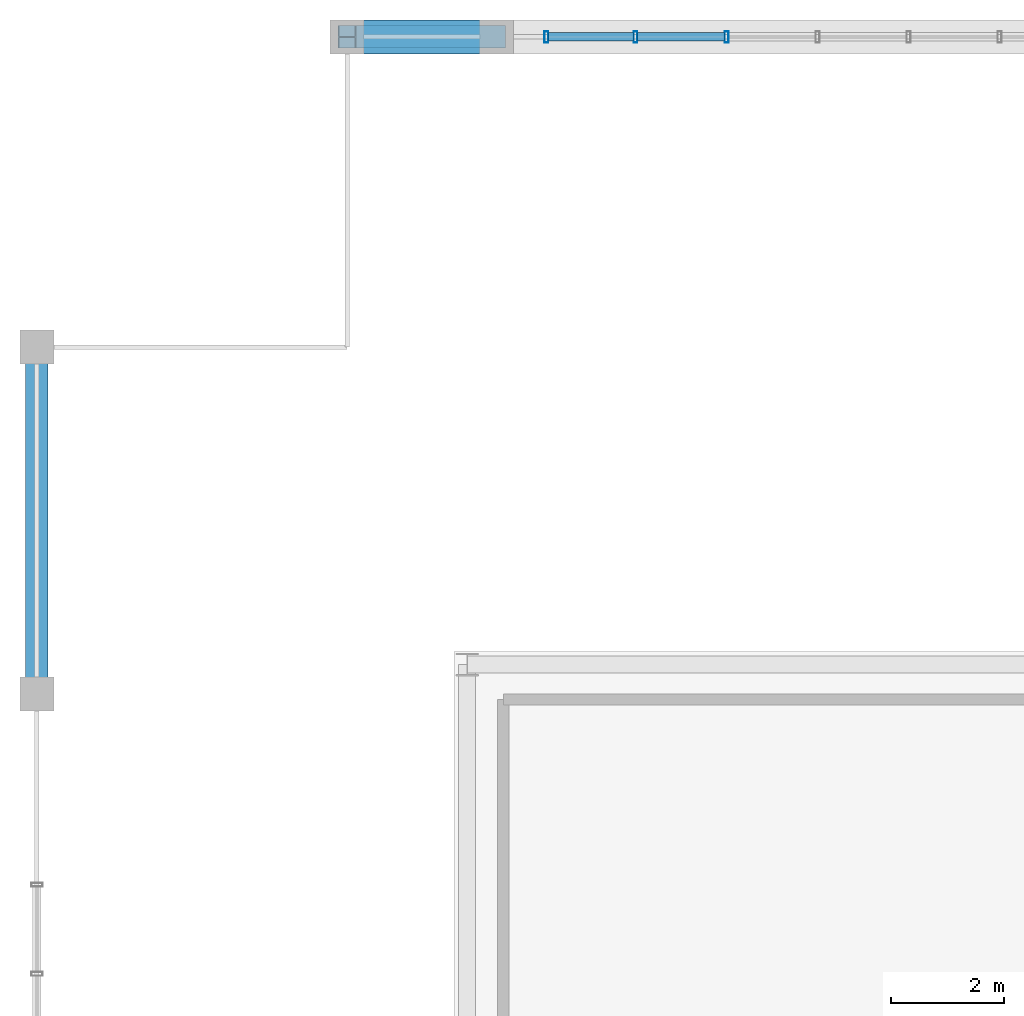
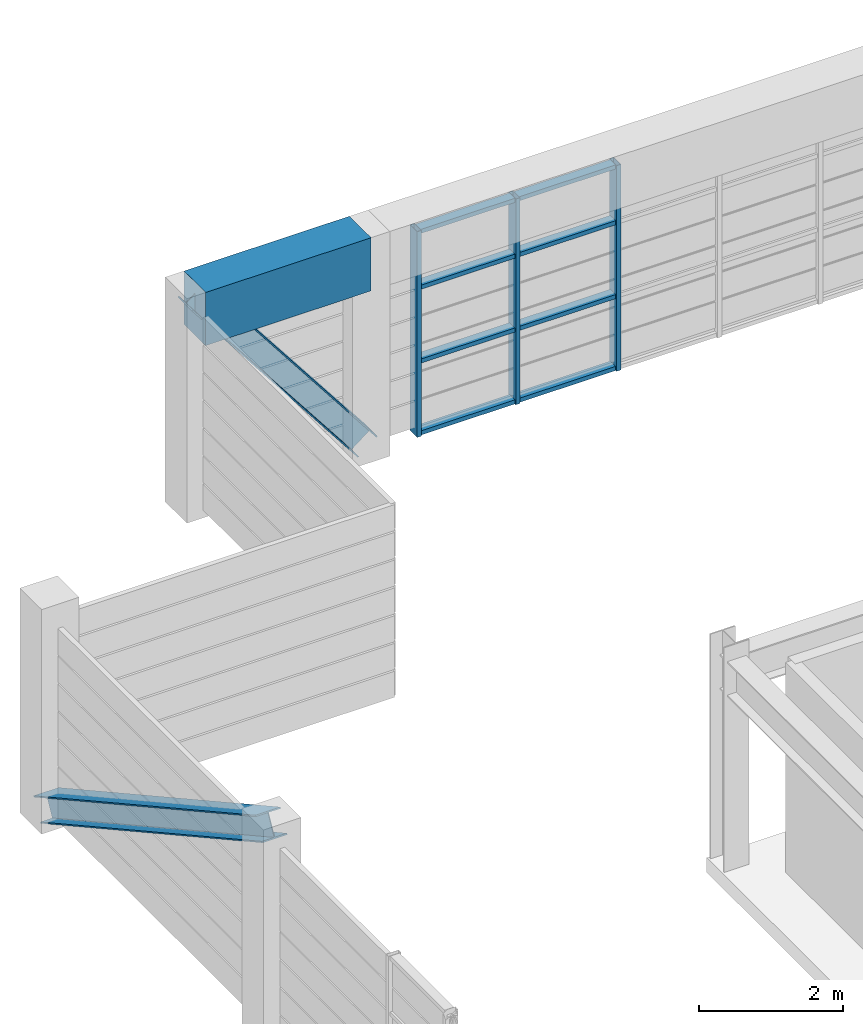
# One storey, part 12 of 21: 13 members, 1 beam, 1 element without a shape of its own.
"""IFC4 building model written with IfcOpenShell, lengths in metres."""

from ifc_helpers import new_model, si_unit, direction, frame, origin, origin_2d, place, context, subcontext, project, spatial, rectangle, hollow_rectangle, i_section, extrude, source, transform, mapped, material, layer, layer_set, material_profile, profile_set, type_object, element, aggregate, save


model = new_model("IFC4")

# Units and contexts
model_context = context("Model", 3, precision=1e-05, world=origin(), true_north=direction((0.0, 1.0)))
body_context = subcontext(model_context, "Body", "Model", "MODEL_VIEW")
ifc_project = project(units=[si_unit("LENGTHUNIT", "METRE"), si_unit("AREAUNIT", "SQUARE_METRE"), si_unit("VOLUMEUNIT", "CUBIC_METRE"), si_unit("PLANEANGLEUNIT", "RADIAN"), si_unit("MASSUNIT", "GRAM", prefix="KILO")], contexts=[model_context])

# Site, building, storey
site_placement = place(None, origin())
site = spatial("IfcSite", under=ifc_project, at=site_placement, CompositionType="ELEMENT")
building_placement = place(site_placement, origin())
building = spatial("IfcBuilding", under=site, at=building_placement, Name="Saelheon Loggia Tower", CompositionType="ELEMENT")
storey_placement = place(building_placement, frame((0.0, 0.0, 259.800048828125)))
storey = spatial("IfcBuildingStorey", under=building, at=storey_placement, Name="CR3", CompositionType="ELEMENT", Elevation=259.800048828125)

# Beam
ifc_material_1 = material(Name="Precast Concrete C45/55", Category="concrete")
ifc_material_profile_1 = material_profile(ifc_material_1, rectangle(XDim=0.60009765625, YDim=0.89990234375, at=origin_2d()), Name="RC-600x900")
ifc_profile_set_1 = profile_set([ifc_material_profile_1], Name="Precast Concrete C45/55")
beam_type = type_object("IfcBeamType", Name="CrownFrame_Ring_RC600x900", PredefinedType="BEAM", material=ifc_profile_set_1)
shared_shape_1 = source(origin(), body_context, "Body", "SweptSolid", [
    extrude(rectangle(XDim=0.60009765625, YDim=0.89990234375, at=origin_2d()), origin(), (0.0, 0.0, 1.0), 2.64990234375),
])
beam_placement = place(storey_placement, frame((31.5, 47.64990234375, 3.349853515625), z_axis=(-1.0, 0.0, 0.0), x_axis=(0.0, -1.0, 0.0)))
element("IfcBeam", 1, at=beam_placement, inside=storey, type_object=beam_type, Name="CR3 CROWN FRAME Sill Beam 11", PredefinedType="BEAM", context=body_context, shape_type="MappedRepresentation", body=[
    mapped(shared_shape_1, transform((0.0, 0.0, 0.0), scale=1.0)),
])

# Members
ifc_material_2 = material(Name="Steel SM355", Category="steel")
ifc_material_profile_2 = material_profile(ifc_material_2, i_section(OverallWidth=0.39990234375, OverallDepth=0.39990234375, WebThickness=0.012939453125, FlangeThickness=0.02099609375, at=origin_2d()), Name="H-400x400x13x21")
ifc_profile_set_2 = profile_set([ifc_material_profile_2], Name="Steel SM355")
member_type_1 = type_object("IfcMemberType", Name="CrownFrame_Brace_H400", PredefinedType="BRACE", material=ifc_profile_set_2)
shared_shape_2 = source(origin(), body_context, "Body", "SweptSolid", [
    extrude(i_section(OverallWidth=0.39990234375, OverallDepth=0.39990234375, WebThickness=0.012939453125, FlangeThickness=0.02099609375, at=origin_2d()), origin(), (0.0, 0.0, 1.0), 4.310546875),
])
member_1_placement = place(storey_placement, frame((31.5, 47.64990234375, 0.199951171875), z_axis=(-0.614740189852, 0.0, 0.788729674211), x_axis=(0.0, -1.0, 0.0)))
element("IfcMember", 2, at=member_1_placement, inside=storey, type_object=member_type_1, Name="CR3 CROWN FRAME Wind Brace 06", PredefinedType="BRACE", context=body_context, shape_type="MappedRepresentation", body=[
    mapped(shared_shape_2, transform((0.0, 0.0, 0.0), scale=1.0)),
])
shared_shape_3 = source(origin(), body_context, "Body", "SweptSolid", [
    extrude(i_section(OverallWidth=0.39990234375, OverallDepth=0.39990234375, WebThickness=0.012939453125, FlangeThickness=0.02099609375, at=origin_2d()), origin(), (0.0, 0.0, 1.0), 7.027099609375),
])
member_2_placement = place(storey_placement, frame((23.35009765625, 42.14990234375, 0.199951171875), z_axis=(0.0, -0.875164888097, 0.48382478093), x_axis=(1.0, 0.0, 0.0)))
element("IfcMember", 3, at=member_2_placement, inside=storey, type_object=member_type_1, Name="CR3 CROWN FRAME Wind Brace 07", PredefinedType="BRACE", context=body_context, shape_type="MappedRepresentation", body=[
    mapped(shared_shape_3, transform((0.0, 0.0, 0.0), scale=1.0)),
])

# Curtain wall, members
ifc_material_3 = material(Name="Bronze-Anodised Aluminium and Fritted Ceramic Screen", Category="aluminium")
ifc_layer = layer(ifc_material_3, 0.219970703125)
ifc_layer_set = layer_set([ifc_layer], Name="Bronze-Anodised Aluminium and Fritted Ceramic Screen")
curtain_wall_type = type_object("IfcCurtainWallType", Name="CW_CrownScreen", PredefinedType="NOTDEFINED", material=ifc_layer_set)
curtain_wall_placement = place(storey_placement, origin())
curtain_wall = element("IfcCurtainWall", 4, at=curtain_wall_placement, inside=storey, type_object=curtain_wall_type, Name="CR3 Crown Central Screen Curtain Wall 6", PredefinedType="NOTDEFINED")
ifc_material_4 = material(Name="Bronze-Anodised Aluminium 6063-T6", Category="aluminium")
ifc_material_profile_3 = material_profile(ifc_material_4, hollow_rectangle(XDim=0.070068359375, YDim=0.199951171875, WallThickness=0.0048828125, at=origin_2d()), Name="RHS-200x70x5")
ifc_profile_set_3 = profile_set([ifc_material_profile_3], Name="Bronze-Anodised Aluminium 6063-T6")
member_type_2 = type_object("IfcMemberType", Name="CW_CrownScreen_Mullion", PredefinedType="MULLION", material=ifc_profile_set_3)
shared_shape_4 = source(origin(), body_context, "Body", "SweptSolid", [
    extrude(hollow_rectangle(XDim=0.070068359375, YDim=0.199951171875, WallThickness=0.0048828125, at=origin_2d()), origin(), (0.0, 0.0, 1.0), 3.47998046875),
])
member_3_placement = place(storey_placement, frame((32.385009765625, 47.64990234375, 0.0), z_axis=(0.0, 0.0, 1.0), x_axis=(1.0, 0.0, 0.0)))
member_3 = element("IfcMember", 5, at=member_3_placement, type_object=member_type_2, Name="CW6 mullion 1", PredefinedType="MULLION", context=body_context, shape_type="MappedRepresentation", body=[
    mapped(shared_shape_4, transform((0.0, 0.0, 0.0), scale=1.0)),
])
member_4_placement = place(storey_placement, frame((33.96435546875, 47.64990234375, 0.0), z_axis=(0.0, 0.0, 1.0), x_axis=(1.0, 0.0, 0.0)))
member_4 = element("IfcMember", 6, at=member_4_placement, type_object=member_type_2, Name="CW6 mullion 2", PredefinedType="MULLION", context=body_context, shape_type="MappedRepresentation", body=[
    mapped(shared_shape_4, transform((0.0, 0.0, 0.0), scale=1.0)),
])
member_5_placement = place(storey_placement, frame((35.57861328125, 47.64990234375, 0.0), z_axis=(0.0, 0.0, 1.0), x_axis=(1.0, 0.0, 0.0)))
member_5 = element("IfcMember", 7, at=member_5_placement, type_object=member_type_2, Name="CW6 mullion 3", PredefinedType="MULLION", context=body_context, shape_type="MappedRepresentation", body=[
    mapped(shared_shape_4, transform((0.0, 0.0, 0.0), scale=1.0)),
])
ifc_material_profile_4 = material_profile(ifc_material_4, hollow_rectangle(XDim=0.070068359375, YDim=0.14990234375, WallThickness=0.0048828125, at=origin_2d()), Name="RHS-150x70x5")
ifc_profile_set_4 = profile_set([ifc_material_profile_4], Name="Bronze-Anodised Aluminium 6063-T6")
member_type_3 = type_object("IfcMemberType", Name="CW_CrownScreen_Transom", PredefinedType="USERDEFINED", material=ifc_profile_set_4)
shared_shape_5 = source(origin(), body_context, "Body", "SweptSolid", [
    extrude(hollow_rectangle(XDim=0.070068359375, YDim=0.14990234375, WallThickness=0.0048828125, at=origin_2d()), origin(), (0.0, 0.0, 1.0), 1.50927734375),
])
member_6_placement = place(storey_placement, frame((32.419921875, 47.64990234375, 0.034912109375), z_axis=(1.0, 0.0, 0.0), x_axis=(0.0, 0.0, 1.0)))
member_6 = element("IfcMember", 8, at=member_6_placement, type_object=member_type_3, Name="CW6 transom 1.1", ObjectType="TRANSOM", PredefinedType="USERDEFINED", context=body_context, shape_type="MappedRepresentation", body=[
    mapped(shared_shape_5, transform((0.0, 0.0, 0.0), scale=1.0)),
])
member_7_placement = place(storey_placement, frame((32.419921875, 47.64990234375, 1.25), z_axis=(1.0, 0.0, 0.0), x_axis=(0.0, 0.0, 1.0)))
member_7 = element("IfcMember", 9, at=member_7_placement, type_object=member_type_3, Name="CW6 transom 1.2", ObjectType="TRANSOM", PredefinedType="USERDEFINED", context=body_context, shape_type="MappedRepresentation", body=[
    mapped(shared_shape_5, transform((0.0, 0.0, 0.0), scale=1.0)),
])
member_8_placement = place(storey_placement, frame((32.419921875, 47.64990234375, 2.5), z_axis=(1.0, 0.0, 0.0), x_axis=(0.0, 0.0, 1.0)))
member_8 = element("IfcMember", 10, at=member_8_placement, type_object=member_type_3, Name="CW6 transom 1.3", ObjectType="TRANSOM", PredefinedType="USERDEFINED", context=body_context, shape_type="MappedRepresentation", body=[
    mapped(shared_shape_5, transform((0.0, 0.0, 0.0), scale=1.0)),
])
member_9_placement = place(storey_placement, frame((32.419921875, 47.64990234375, 3.445068359375), z_axis=(1.0, 0.0, 0.0), x_axis=(0.0, 0.0, 1.0)))
member_9 = element("IfcMember", 11, at=member_9_placement, type_object=member_type_3, Name="CW6 transom 1.4", ObjectType="TRANSOM", PredefinedType="USERDEFINED", context=body_context, shape_type="MappedRepresentation", body=[
    mapped(shared_shape_5, transform((0.0, 0.0, 0.0), scale=1.0)),
])
shared_shape_6 = source(origin(), body_context, "Body", "SweptSolid", [
    extrude(hollow_rectangle(XDim=0.070068359375, YDim=0.14990234375, WallThickness=0.0048828125, at=origin_2d()), origin(), (0.0, 0.0, 1.0), 1.544189453125),
])
member_10_placement = place(storey_placement, frame((33.999267578125, 47.64990234375, 0.034912109375), z_axis=(1.0, 0.0, 0.0), x_axis=(0.0, 0.0, 1.0)))
member_10 = element("IfcMember", 12, at=member_10_placement, type_object=member_type_3, Name="CW6 transom 2.1", ObjectType="TRANSOM", PredefinedType="USERDEFINED", context=body_context, shape_type="MappedRepresentation", body=[
    mapped(shared_shape_6, transform((0.0, 0.0, 0.0), scale=1.0)),
])
member_11_placement = place(storey_placement, frame((33.999267578125, 47.64990234375, 1.25), z_axis=(1.0, 0.0, 0.0), x_axis=(0.0, 0.0, 1.0)))
member_11 = element("IfcMember", 13, at=member_11_placement, type_object=member_type_3, Name="CW6 transom 2.2", ObjectType="TRANSOM", PredefinedType="USERDEFINED", context=body_context, shape_type="MappedRepresentation", body=[
    mapped(shared_shape_6, transform((0.0, 0.0, 0.0), scale=1.0)),
])
member_12_placement = place(storey_placement, frame((33.999267578125, 47.64990234375, 2.5), z_axis=(1.0, 0.0, 0.0), x_axis=(0.0, 0.0, 1.0)))
member_12 = element("IfcMember", 14, at=member_12_placement, type_object=member_type_3, Name="CW6 transom 2.3", ObjectType="TRANSOM", PredefinedType="USERDEFINED", context=body_context, shape_type="MappedRepresentation", body=[
    mapped(shared_shape_6, transform((0.0, 0.0, 0.0), scale=1.0)),
])
member_13_placement = place(storey_placement, frame((33.999267578125, 47.64990234375, 3.445068359375), z_axis=(1.0, 0.0, 0.0), x_axis=(0.0, 0.0, 1.0)))
member_13 = element("IfcMember", 15, at=member_13_placement, type_object=member_type_3, Name="CW6 transom 2.4", ObjectType="TRANSOM", PredefinedType="USERDEFINED", context=body_context, shape_type="MappedRepresentation", body=[
    mapped(shared_shape_6, transform((0.0, 0.0, 0.0), scale=1.0)),
])
aggregate(curtain_wall, [member_3, member_4, member_5, member_6, member_7, member_8, member_9, member_10, member_11, member_12, member_13])

save(model, "model.ifc")
